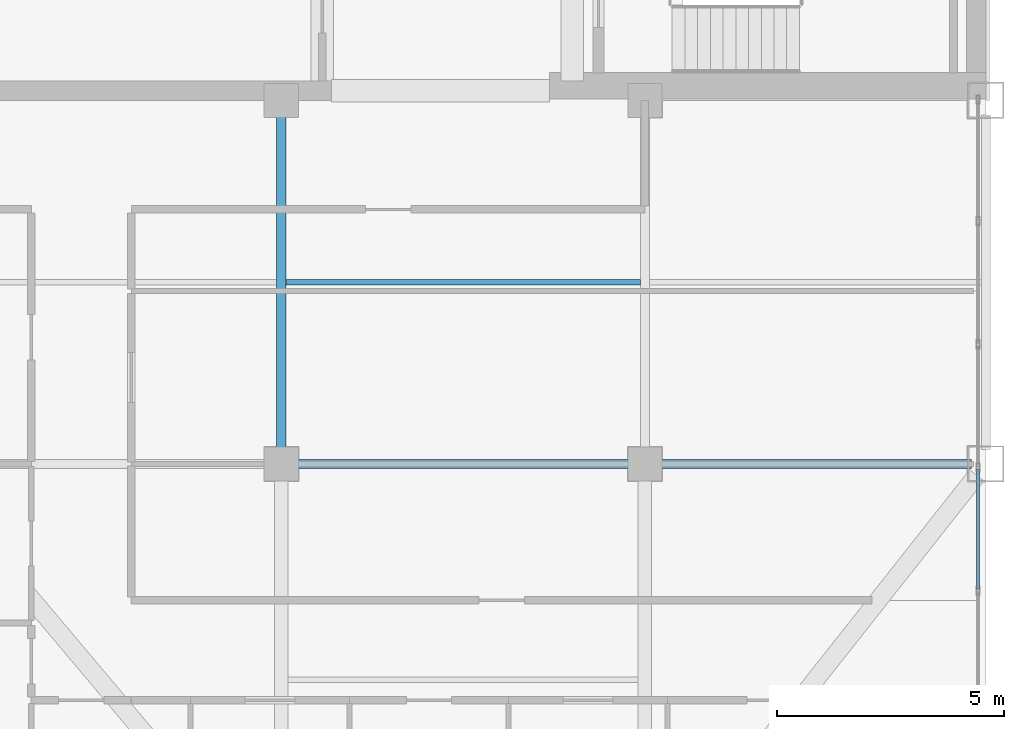
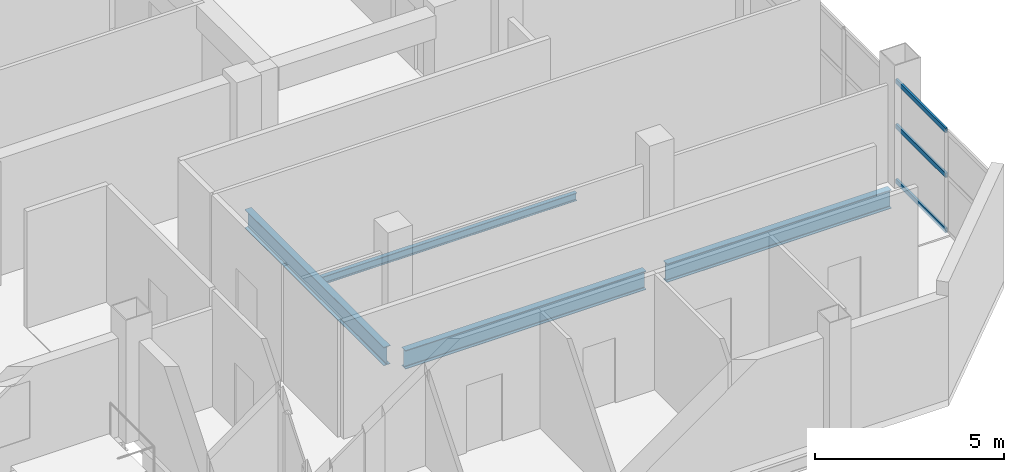
# One storey, part 3 of 13: 4 beams, 3 members, 1 element without a shape of its own.
"""IFC4 building model written with IfcOpenShell, lengths in metres."""

import ifcopenshell
import ifcopenshell.guid

model = None  # the IFC model being written
_history = None  # IfcOwnerHistory: only IFC2X3 demands one
_inside = {}  # id of a spatial element -> (the spatial element, [elements in it])
_under = {}  # id of a project, library or spatial element -> (it, [spatial elements below it])
_declared = {}  # id of a project -> (the project, [libraries it declares])
_typed = {}  # id of a type object -> (the type object, [elements of that type])
_made_of = {}  # id of a material, layer set ... -> (it, [elements and type objects made of it])


def new_model(schema):
    """Start an empty IFC model of exactly this schema.

    Asked for "IFC4X3", IfcOpenShell would pick the latest addendum, in which some entities
    have other attributes; the version numbers below select the first issue.
    IFC2X3 requires an IfcOwnerHistory on every rooted entity: one is made here for all.
    """
    global model, _history
    if schema == "IFC4X3":
        model = ifcopenshell.file(schema_version=(4, 3, 0, 0))
    else:
        model = ifcopenshell.file(schema=schema)
    _inside.clear()
    _under.clear()
    _declared.clear()
    _typed.clear()
    _made_of.clear()
    _history = None
    if model.schema == "IFC2X3":
        org = make("IfcOrganization", Name="unknown")
        user = make(
            "IfcPersonAndOrganization",
            ThePerson=make("IfcPerson", FamilyName="unknown"),
            TheOrganization=org,
        )
        app = make(
            "IfcApplication",
            ApplicationDeveloper=org,
            Version="unknown",
            ApplicationFullName="unknown",
            ApplicationIdentifier="unknown",
        )
        _history = make(
            "IfcOwnerHistory",
            OwningUser=user,
            OwningApplication=app,
            ChangeAction="ADDED",
            CreationDate=0,
        )
    return model


def make(cls, **values):
    """One entity of the class cls with the attributes given. An attribute that is None is left unset."""
    return model.create_entity(
        cls, **{name: value for name, value in values.items() if value is not None}
    )


def rooted(cls, **values):
    """An entity with a GlobalId (a new one), such as an element, a storey or a relation."""
    return make(cls, GlobalId=ifcopenshell.guid.new(), OwnerHistory=_history, **values)


def si_unit(unit_type, name, prefix=None):
    """IfcSIUnit, for example si_unit("LENGTHUNIT", "METRE", prefix="MILLI")."""
    return make("IfcSIUnit", UnitType=unit_type, Prefix=prefix, Name=name)


def assignment(units):
    """IfcUnitAssignment: the units of a project."""
    return None if units is None else make("IfcUnitAssignment", Units=units)


def point(xyz):
    """IfcCartesianPoint."""
    return None if xyz is None else make("IfcCartesianPoint", Coordinates=xyz)


def direction(xyz):
    """IfcDirection."""
    return None if xyz is None else make("IfcDirection", DirectionRatios=xyz)


def frame(location, z_axis=None, x_axis=None):
    """IfcAxis2Placement3D, a coordinate frame: its origin and axes. An axis left out is left unset."""
    return make(
        "IfcAxis2Placement3D",
        Location=point(location),
        Axis=direction(z_axis),
        RefDirection=direction(x_axis),
    )


def frame_2d(location, x_axis=None):
    """IfcAxis2Placement2D, a coordinate frame in the plane: its origin and x axis."""
    return make(
        "IfcAxis2Placement2D", Location=point(location), RefDirection=direction(x_axis)
    )


def origin():
    """The frame at (0, 0, 0) with its axes left unset."""
    return frame((0.0, 0.0, 0.0))


def origin_2d():
    """The frame at (0, 0) in the plane with its x axis left unset."""
    return frame_2d((0.0, 0.0))


def place(relative_to, where):
    """IfcLocalPlacement: puts the frame where relative to a parent placement (None: the world)."""
    return make(
        "IfcLocalPlacement", PlacementRelTo=relative_to, RelativePlacement=where
    )


def context(
    kind, dimensions, precision=None, world=None, true_north=None, identifier=None
):
    """IfcGeometricRepresentationContext, for example the 3D "Model" context."""
    return make(
        "IfcGeometricRepresentationContext",
        ContextIdentifier=identifier,
        ContextType=kind,
        CoordinateSpaceDimension=dimensions,
        Precision=precision,
        WorldCoordinateSystem=world,
        TrueNorth=true_north,
    )


def subcontext(parent, identifier, kind, view, scale=None):
    """IfcGeometricRepresentationSubContext, for example "Body" below "Model"."""
    return make(
        "IfcGeometricRepresentationSubContext",
        ContextIdentifier=identifier,
        ContextType=kind,
        ParentContext=parent,
        TargetScale=scale,
        TargetView=view,
    )


def project(units=None, contexts=None):
    """IfcProject with its units and contexts."""
    return rooted(
        "IfcProject",
        Name="project",
        RepresentationContexts=contexts,
        UnitsInContext=assignment(units),
    )


def spatial(cls, under=None, at=None, **own):
    """A site, building, storey or space (cls), placed at a placement, below another one or the project."""
    s = rooted(cls, ObjectPlacement=at, **own)
    if under is not None:
        _under.setdefault(under.id(), (under, []))[1].append(s)
    return s


def profile(cls, at=None, kind="AREA", **sizes):
    """A parametric profile (cls). Its sizes go by their IFC names, for example OverallWidth=200.0."""
    return make(cls, ProfileType=kind, Position=at, **sizes)


def hollow_rectangle(**sizes):
    """IfcRectangleHollowProfileDef."""
    return profile("IfcRectangleHollowProfileDef", **sizes)


def i_section(**sizes):
    """IfcIShapeProfileDef."""
    return profile("IfcIShapeProfileDef", **sizes)


def extrude(swept, where, along, depth):
    """IfcExtrudedAreaSolid: the profile swept, set in the frame where, extruded along a direction by depth."""
    return make(
        "IfcExtrudedAreaSolid",
        SweptArea=swept,
        Position=where,
        ExtrudedDirection=direction(along),
        Depth=depth,
    )


def shape(context_of_items, identifier, shape_type, items):
    """IfcShapeRepresentation: the items that make up one representation, for example the "Body"."""
    return make(
        "IfcShapeRepresentation",
        ContextOfItems=context_of_items,
        RepresentationIdentifier=identifier,
        RepresentationType=shape_type,
        Items=items,
    )


def material(Name=None, Category=None):
    """IfcMaterial."""
    return make("IfcMaterial", Name=Name, Category=Category)


def layer(
    of_material, thickness, ventilated=None, Name=None, Category=None, Priority=None
):
    """IfcMaterialLayer: one layer of a wall or slab, of a material (None: an air gap)."""
    return make(
        "IfcMaterialLayer",
        Material=of_material,
        LayerThickness=thickness,
        IsVentilated=ventilated,
        Name=Name,
        Category=Category,
        Priority=Priority,
    )


def layer_set(layers, Name=None):
    """IfcMaterialLayerSet."""
    return make("IfcMaterialLayerSet", MaterialLayers=layers, LayerSetName=Name)


def material_profile(
    of_material, cross_section, Name=None, Category=None, Priority=None
):
    """IfcMaterialProfile: a cross section and its material."""
    return make(
        "IfcMaterialProfile",
        Name=Name,
        Material=of_material,
        Profile=cross_section,
        Priority=Priority,
        Category=Category,
    )


def profile_set(profiles, Name=None, composite=None):
    """IfcMaterialProfileSet."""
    return make(
        "IfcMaterialProfileSet",
        Name=Name,
        MaterialProfiles=profiles,
        CompositeProfile=composite,
    )


def made_of(thing, what):
    """Note that an element or type object is made of a material, layer set ...; save() writes the relation."""
    if what is not None:
        _made_of.setdefault(what.id(), (what, []))[1].append(thing)
    return thing


def type_object(cls, material=None, **own):
    """A type object (cls), such as IfcWallType, which elements share."""
    return made_of(rooted(cls, **own), material)


def element(
    cls,
    number,
    at=None,
    inside=None,
    cuts=None,
    type_object=None,
    material=None,
    context=None,
    identifier="Body",
    shape_type=None,
    held_by="IfcProductDefinitionShape",
    body=None,
    shapes=None,
    **own,
):
    """One element of the class cls, such as IfcWall. Its Tag is "e" and its number.

    at: its placement. inside: the storey or other place that contains it. cuts: it is an
    opening in that element (IfcRelVoidsElement). A single representation is given by context,
    identifier, shape_type and body (its items); several are given by shapes. held_by: the class
    of the entity that holds the representations. save() writes the other relations.
    """
    e = rooted(cls, Tag="e%d" % number, ObjectPlacement=at, **own)
    if body is not None:
        shapes = [shape(context, identifier, shape_type, body)]
    if shapes is not None:
        e.Representation = make(held_by, Representations=shapes)
    if inside is not None:
        _inside.setdefault(inside.id(), (inside, []))[1].append(e)
    if cuts is not None:
        rooted(
            "IfcRelVoidsElement", RelatingBuildingElement=cuts, RelatedOpeningElement=e
        )
    if type_object is not None:
        _typed.setdefault(type_object.id(), (type_object, []))[1].append(e)
    return made_of(e, material)


def aggregate(whole, parts):
    """IfcRelAggregates: a whole, such as a stair, and the parts it consists of."""
    return rooted("IfcRelAggregates", RelatingObject=whole, RelatedObjects=parts)


def save(model, path):
    """Write the relations noted so far, then the file.

    IfcRelAggregates (storeys below a building ...), IfcRelContainedInSpatialStructure (elements
    in a storey), IfcRelDefinesByType, IfcRelAssociatesMaterial and IfcRelDeclares: one each for
    every whole, place, type object, material and project.
    """
    for whole, parts in _under.values():
        aggregate(whole, parts)
    for where, things in _inside.values():
        rooted(
            "IfcRelContainedInSpatialStructure",
            RelatedElements=things,
            RelatingStructure=where,
        )
    for kind, things in _typed.values():
        rooted("IfcRelDefinesByType", RelatedObjects=things, RelatingType=kind)
    for what, things in _made_of.values():
        rooted("IfcRelAssociatesMaterial", RelatedObjects=things, RelatingMaterial=what)
    for by, libraries in _declared.values():
        rooted("IfcRelDeclares", RelatingContext=by, RelatedDefinitions=libraries)
    model.write(path)


model = new_model("IFC4")

# Units and contexts
model_context = context("Model", 3, precision=1e-05, world=origin(), true_north=direction((0.0, 1.0)))
body_context = subcontext(model_context, "Body", "Model", "MODEL_VIEW")
ifc_project = project(units=[si_unit("LENGTHUNIT", "METRE"), si_unit("AREAUNIT", "SQUARE_METRE"), si_unit("VOLUMEUNIT", "CUBIC_METRE"), si_unit("PLANEANGLEUNIT", "RADIAN"), si_unit("MASSUNIT", "GRAM", prefix="KILO")], contexts=[model_context])

# Site, building, storey
site_placement = place(None, origin())
site = spatial("IfcSite", under=ifc_project, at=site_placement, CompositionType="ELEMENT")
building_placement = place(site_placement, origin())
building = spatial("IfcBuilding", under=site, at=building_placement, Name="Qianrong Seaharbour Tower", CompositionType="ELEMENT")
storey_placement = place(building_placement, frame((0.0, 0.0, 295.199951171875)))
storey = spatial("IfcBuildingStorey", under=building, at=storey_placement, Name="L71", CompositionType="ELEMENT", Elevation=295.199951171875)

# Beams
ifc_material_1 = material(Name="Structural steel SN490B", Category="steel")
ifc_material_profile_1 = material_profile(ifc_material_1, i_section(OverallWidth=0.199951171875, OverallDepth=0.60009765625, WebThickness=0.010986328125, FlangeThickness=0.01708984375, FilletRadius=0.02197265625, at=origin_2d()), Name="H600x200x11x17")
ifc_profile_set_1 = profile_set([ifc_material_profile_1], Name="Structural steel SN490B")
beam_type_1 = type_object("IfcBeamType", Name="BM-G-600", PredefinedType="BEAM", material=ifc_profile_set_1)
beam_1_placement = place(storey_placement, frame((48.820068359375, 28.0, -0.514892578125), z_axis=(1.0, 0.0, 0.0), x_axis=(0.0, 1.0, 0.0)))
element("IfcBeam", 1, at=beam_1_placement, inside=storey, type_object=beam_type_1, Name="L71 Primary Girder GE G7-G8", PredefinedType="BEAM", context=body_context, shape_type="SweptSolid", body=[
    extrude(i_section(OverallWidth=0.199951171875, OverallDepth=0.60009765625, WebThickness=0.010986328125, FlangeThickness=0.01708984375, FilletRadius=0.02197265625, at=origin_2d()), origin(), (0.0, 0.0, 1.0), 7.35986328125),
])
beam_2_placement = place(storey_placement, frame((56.820068359375, 28.0, -0.514892578125), z_axis=(1.0, 0.0, 0.0), x_axis=(0.0, 1.0, 0.0)))
element("IfcBeam", 2, at=beam_2_placement, inside=storey, type_object=beam_type_1, Name="L71 Primary Girder GE G8-G9", PredefinedType="BEAM", context=body_context, shape_type="SweptSolid", body=[
    extrude(i_section(OverallWidth=0.199951171875, OverallDepth=0.60009765625, WebThickness=0.010986328125, FlangeThickness=0.01708984375, FilletRadius=0.02197265625, at=origin_2d()), origin(), (0.0, 0.0, 1.0), 6.85986328125),
])
beam_3_placement = place(storey_placement, frame((48.5, 28.320068359375, -0.514892578125), z_axis=(0.0, 1.0, 0.0), x_axis=(-1.0, 0.0, 0.0)))
element("IfcBeam", 3, at=beam_3_placement, inside=storey, type_object=beam_type_1, Name="L71 Primary Girder G7 GE-GF", PredefinedType="BEAM", context=body_context, shape_type="SweptSolid", body=[
    extrude(i_section(OverallWidth=0.199951171875, OverallDepth=0.60009765625, WebThickness=0.010986328125, FlangeThickness=0.01708984375, FilletRadius=0.02197265625, at=origin_2d()), origin(), (0.0, 0.0, 1.0), 7.35986328125),
])
ifc_material_2 = material(Name="Structural steel SN400B", Category="steel")
ifc_material_profile_2 = material_profile(ifc_material_2, i_section(OverallWidth=0.125, OverallDepth=0.25, WebThickness=0.006103515625, FlangeThickness=0.009033203125, FilletRadius=0.011962890625, at=origin_2d()), Name="H250x125x6x9")
ifc_profile_set_2 = profile_set([ifc_material_profile_2], Name="Structural steel SN400B")
beam_type_2 = type_object("IfcBeamType", Name="BM-J-250", PredefinedType="JOIST", material=ifc_profile_set_2)
beam_4_placement = place(storey_placement, frame((48.60009765625, 32.0, -0.33984375), z_axis=(1.0, 0.0, 0.0), x_axis=(0.0, 1.0, 0.0)))
element("IfcBeam", 4, at=beam_4_placement, inside=storey, type_object=beam_type_2, Name="L71 Composite Floor Joist G7-G8/GE-GF", PredefinedType="JOIST", context=body_context, shape_type="SweptSolid", body=[
    extrude(i_section(OverallWidth=0.125, OverallDepth=0.25, WebThickness=0.006103515625, FlangeThickness=0.009033203125, FilletRadius=0.011962890625, at=origin_2d()), origin(), (0.0, 0.0, 1.0), 7.7998046875),
])

# Curtain wall, members
ifc_material_3 = material(Name="Anodised aluminium 6063-T6 and laminated low-e glass", Category="aluminium")
ifc_layer = layer(ifc_material_3, 0.195068359375)
ifc_layer_set = layer_set([ifc_layer], Name="Anodised aluminium 6063-T6 and laminated low-e glass")
curtain_wall_type = type_object("IfcCurtainWallType", Name="CW-SYS-3", PredefinedType="NOTDEFINED", material=ifc_layer_set)
curtain_wall_placement = place(storey_placement, origin())
curtain_wall = element("IfcCurtainWall", 5, at=curtain_wall_placement, inside=storey, type_object=curtain_wall_type, Name="L71 Sky-Garden Wintergarden Curtain Wall EAST_WING", PredefinedType="NOTDEFINED")
ifc_material_4 = material(Name="Extruded aluminium 6063-T6", Category="aluminium")
ifc_material_profile_3 = material_profile(ifc_material_4, hollow_rectangle(XDim=0.06494140625, YDim=0.14990234375, WallThickness=0.00390625, at=origin_2d()), Name="ALU-TRN-150x65x4")
ifc_profile_set_3 = profile_set([ifc_material_profile_3], Name="Extruded aluminium 6063-T6")
member_type = type_object("IfcMemberType", Name="CW-TRN-150", PredefinedType="USERDEFINED", material=ifc_profile_set_3)
member_1_placement = place(storey_placement, frame((63.830078125, 27.885009765625, 0.032470703125), z_axis=(0.0, -1.0, 0.0), x_axis=(1.0, 0.0, 0.0)))
member_1 = element("IfcMember", 6, at=member_1_placement, type_object=member_type, Name="CW-3 transom 4.1", ObjectType="TRANSOM", PredefinedType="USERDEFINED", context=body_context, shape_type="SweptSolid", body=[
    extrude(hollow_rectangle(XDim=0.06494140625, YDim=0.14990234375, WallThickness=0.00390625, at=origin_2d()), origin(), (0.0, 0.0, 1.0), 2.639892578125),
])
member_2_placement = place(storey_placement, frame((63.830078125, 27.885009765625, 1.812255859375), z_axis=(0.0, -1.0, 0.0), x_axis=(1.0, 0.0, 0.0)))
member_2 = element("IfcMember", 7, at=member_2_placement, type_object=member_type, Name="CW-3 transom 4.2", ObjectType="TRANSOM", PredefinedType="USERDEFINED", context=body_context, shape_type="SweptSolid", body=[
    extrude(hollow_rectangle(XDim=0.06494140625, YDim=0.14990234375, WallThickness=0.00390625, at=origin_2d()), origin(), (0.0, 0.0, 1.0), 2.639892578125),
])
member_3_placement = place(storey_placement, frame((63.830078125, 27.885009765625, 3.262451171875), z_axis=(0.0, -1.0, 0.0), x_axis=(1.0, 0.0, 0.0)))
member_3 = element("IfcMember", 8, at=member_3_placement, type_object=member_type, Name="CW-3 transom 4.3", ObjectType="TRANSOM", PredefinedType="USERDEFINED", context=body_context, shape_type="SweptSolid", body=[
    extrude(hollow_rectangle(XDim=0.06494140625, YDim=0.14990234375, WallThickness=0.00390625, at=origin_2d()), origin(), (0.0, 0.0, 1.0), 2.639892578125),
])
aggregate(curtain_wall, [member_1, member_2, member_3])

save(model, "model.ifc")
